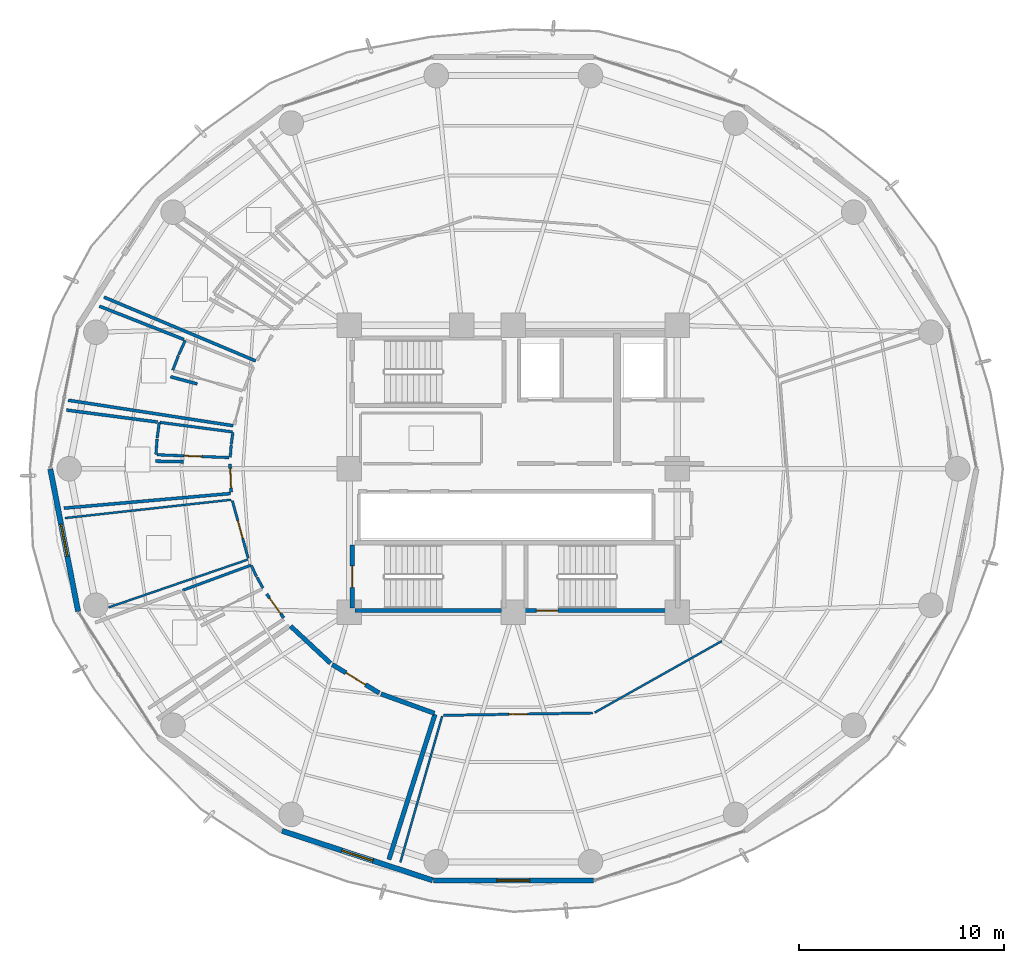
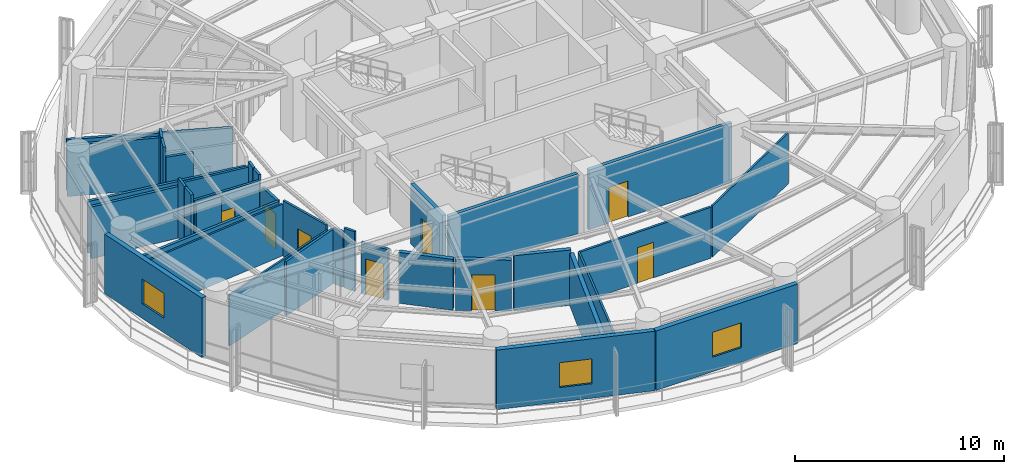
# One storey, part 21 of 27: 36 walls, 8 doors, 3 windows, 11 openings.
"""IFC4 building model written with IfcOpenShell, lengths in metres."""

from ifc_helpers import new_model, si_unit, direction, frame, frame_2d, origin, place, context, subcontext, project, spatial, rectangle, extrude, material, layer, layer_set, type_object, element, fill, save


model = new_model("IFC4")

# Units and contexts
model_context = context("Model", 3, precision=1e-05, world=origin(), true_north=direction((0.0, 1.0)))
body_context = subcontext(model_context, "Body", "Model", "MODEL_VIEW")
ifc_project = project(units=[si_unit("LENGTHUNIT", "METRE"), si_unit("AREAUNIT", "SQUARE_METRE"), si_unit("VOLUMEUNIT", "CUBIC_METRE"), si_unit("PLANEANGLEUNIT", "RADIAN"), si_unit("MASSUNIT", "GRAM", prefix="KILO")], contexts=[model_context])

# Site, building, storey
site_placement = place(None, origin())
site = spatial("IfcSite", under=ifc_project, at=site_placement, CompositionType="ELEMENT")
building_placement = place(site_placement, origin())
building = spatial("IfcBuilding", under=site, at=building_placement, Name="Kelanora Arch Commons", CompositionType="ELEMENT")
storey_placement = place(building_placement, frame((0.0, 0.0, 169.35009765625)))
storey = spatial("IfcBuildingStorey", under=building, at=storey_placement, Name="L43", CompositionType="ELEMENT", Elevation=169.35009765625)

# Wall, opening, door
ifc_material_1 = material(Name="Autoclaved aerated concrete blockwork with fire plaster", Category="masonry")
ifc_layer_1 = layer(ifc_material_1, 0.14990234375)
ifc_layer_set_1 = layer_set([ifc_layer_1], Name="Autoclaved aerated concrete blockwork with fire plaster")
wall_type_1 = type_object("IfcWallType", Name="W-COMP-150", PredefinedType="PARTITIONING", material=ifc_layer_set_1)
wall_1_placement = place(storey_placement, frame((60.176513671875, 58.23291015625, 0.0), z_axis=(0.0, 0.0, 1.0), x_axis=(0.040688656331, -0.999171873726, 0.0)))
wall_1 = element("IfcWall", 1, at=wall_1_placement, inside=storey, type_object=wall_type_1, Name="Cluster Bedroom L43-04 Entry Partition", PredefinedType="PARTITIONING", context=body_context, shape_type="SweptSolid", body=[
    extrude(rectangle(XDim=1.380126953125, YDim=0.14990234375, at=frame_2d((0.68994140625, 0.0))), origin(), (0.0, 0.0, 1.0), 2.974853515625),
])
opening_1_placement = place(wall_1_placement, frame((0.215087890625, 0.0, 0.0)))
opening_1 = element("IfcOpeningElement", 2, at=opening_1_placement, cuts=wall_1, Name="Opening D-CLU1", PredefinedType="OPENING", context=body_context, shape_type="SweptSolid", body=[
    extrude(rectangle(XDim=0.949951171875, YDim=2.080078125, at=frame_2d((0.47509765625, 1.0400390625))), frame((0.0, 0.0849609375, 0.0), z_axis=(0.0, -1.0, 0.0), x_axis=(1.0, 0.0, 0.0)), (0.0, 0.0, 1.0), 0.169921875),
])
ifc_material_2 = material(Name="Solid-core acoustic timber cluster entry fire door", Category="wood")
door_type_1 = type_object("IfcDoorType", Name="D-CLU-95", OperationType="NOTDEFINED", PredefinedType="DOOR", material=ifc_material_2)
door_1_placement = place(opening_1_placement, origin())
door_1 = element("IfcDoor", 3, at=door_1_placement, inside=storey, type_object=door_type_1, Name="Cluster Bedroom L43-04 Door", OperationType="SINGLE_SWING_LEFT", OverallHeight=2.080078125, OverallWidth=0.949951171875, PredefinedType="DOOR", context=body_context, shape_type="SweptSolid", body=[
    extrude(rectangle(XDim=0.949951171875, YDim=2.080078125, at=frame_2d((0.47509765625, 1.0400390625))), frame((0.0, 0.02490234375, 0.0), z_axis=(0.0, -1.0, 0.0), x_axis=(1.0, 0.0, 0.0)), (0.0, 0.0, 1.0), 0.050048828125),
])
fill(opening_1, door_1)

wall_2_placement = place(storey_placement, frame((61.960693359375, 51.89013671875, 0.0), z_axis=(0.0, 0.0, 1.0), x_axis=(0.579962011666, -0.814643520213, 0.0)))
wall_2 = element("IfcWall", 4, at=wall_2_placement, inside=storey, type_object=wall_type_1, Name="Cluster Bedroom L43-06 Entry Partition", PredefinedType="PARTITIONING", context=body_context, shape_type="SweptSolid", body=[
    extrude(rectangle(XDim=1.430419921875, YDim=0.14990234375, at=frame_2d((0.71533203125, 0.0))), origin(), (0.0, 0.0, 1.0), 2.974853515625),
])
opening_2_placement = place(wall_2_placement, frame((0.239990234375, 0.0, 0.0)))
opening_2 = element("IfcOpeningElement", 5, at=opening_2_placement, cuts=wall_2, Name="Opening D-CLU1", PredefinedType="OPENING", context=body_context, shape_type="SweptSolid", body=[
    extrude(rectangle(XDim=0.949951171875, YDim=2.080078125, at=frame_2d((0.47509765625, 1.0400390625))), frame((0.0, 0.0849609375, 0.0), z_axis=(0.0, -1.0, 0.0), x_axis=(1.0, 0.0, 0.0)), (0.0, 0.0, 1.0), 0.169921875),
])
door_2_placement = place(opening_2_placement, origin())
door_2 = element("IfcDoor", 6, at=door_2_placement, inside=storey, type_object=door_type_1, Name="Cluster Bedroom L43-06 Door", OperationType="SINGLE_SWING_RIGHT", OverallHeight=2.080078125, OverallWidth=0.949951171875, PredefinedType="DOOR", context=body_context, shape_type="SweptSolid", body=[
    extrude(rectangle(XDim=0.949951171875, YDim=2.080078125, at=frame_2d((0.47509765625, 1.0400390625))), frame((0.0, 0.02490234375, 0.0), z_axis=(0.0, -1.0, 0.0), x_axis=(1.0, 0.0, 0.0)), (0.0, 0.0, 1.0), 0.050048828125),
])
fill(opening_2, door_2)

# Walls
wall_3_placement = place(storey_placement, frame((61.425048828125, 63.262451171875, 0.0), z_axis=(0.0, 0.0, 1.0), x_axis=(-0.921852058971, 0.387541973688, 0.0)))
element("IfcWall", 7, at=wall_3_placement, inside=storey, type_object=wall_type_1, Name="Cluster Bedroom L43-02 Enclosure Partition 2", PredefinedType="PARTITIONING", context=body_context, shape_type="SweptSolid", body=[
    extrude(rectangle(XDim=8.03271484375, YDim=0.14990234375, at=frame_2d((4.016357421875, 0.0))), origin(), (0.0, 0.0, 1.0), 2.974853515625),
])
wall_4_placement = place(storey_placement, frame((60.32861328125, 60.10009765625, 0.0), z_axis=(0.0, 0.0, 1.0), x_axis=(-0.988280426205, 0.152649268523, 0.0)))
element("IfcWall", 8, at=wall_4_placement, inside=storey, type_object=wall_type_1, Name="Cluster Bedroom L43-03 Enclosure Partition 2", PredefinedType="PARTITIONING", context=body_context, shape_type="SweptSolid", body=[
    extrude(rectangle(XDim=8.148681640625, YDim=0.14990234375, at=frame_2d((4.07421875, 0.0))), origin(), (0.0, 0.0, 1.0), 3.02490234375),
])
wall_5_placement = place(storey_placement, frame((53.79931640625, 65.933349609375, 0.0), z_axis=(0.0, 0.0, 1.0), x_axis=(0.930447107731, -0.366426226839, 0.0)))
element("IfcWall", 9, at=wall_5_placement, inside=storey, type_object=wall_type_1, Name="Cluster Bedroom L43-03 Enclosure Partition 5", PredefinedType="PARTITIONING", context=body_context, shape_type="SweptSolid", body=[
    extrude(rectangle(XDim=4.4306640625, YDim=0.14990234375, at=frame_2d((2.21533203125, 0.0))), origin(), (0.0, 0.0, 1.0), 2.974853515625),
])
wall_6_placement = place(storey_placement, frame((57.2685546875, 62.49169921875, 0.0), z_axis=(0.0, 0.0, 1.0), x_axis=(0.965540944104, -0.260251196461, 0.0)))
element("IfcWall", 10, at=wall_6_placement, inside=storey, type_object=wall_type_1, Name="Cluster Bedroom L43-03 Enclosure Partition 7", PredefinedType="PARTITIONING", context=body_context, shape_type="SweptSolid", body=[
    extrude(rectangle(XDim=1.35546875, YDim=0.14990234375, at=frame_2d((0.677734375, 0.0))), origin(), (0.0, 0.0, 1.0), 3.1748046875),
])
wall_7_placement = place(storey_placement, frame((60.1953125, 56.79052734375, 0.0), z_axis=(0.0, 0.0, 1.0), x_axis=(-0.996155607827, -0.087601398364, 0.0)))
element("IfcWall", 11, at=wall_7_placement, inside=storey, type_object=wall_type_1, Name="Cluster Bedroom L43-04 Enclosure Partition 2", PredefinedType="PARTITIONING", context=body_context, shape_type="SweptSolid", body=[
    extrude(rectangle(XDim=8.1630859375, YDim=0.14990234375, at=frame_2d((4.08154296875, 0.0))), origin(), (0.0, 0.0, 1.0), 3.02490234375),
])
wall_8_placement = place(storey_placement, frame((52.190673828125, 60.86474609375, 0.0), z_axis=(0.0, 0.0, 1.0), x_axis=(0.991434667169, -0.130603601543, 0.0)))
element("IfcWall", 12, at=wall_8_placement, inside=storey, type_object=wall_type_1, Name="Cluster Bedroom L43-04 Enclosure Partition 5", PredefinedType="PARTITIONING", context=body_context, shape_type="SweptSolid", body=[
    extrude(rectangle(XDim=4.490234375, YDim=0.14990234375, at=frame_2d((2.2451171875, 0.0))), origin(), (0.0, 0.0, 1.0), 3.02490234375),
])
wall_9_placement = place(storey_placement, frame((56.5439453125, 58.3701171875, 0.0), z_axis=(0.0, 0.0, 1.0), x_axis=(0.999773811605, -0.021267948399, 0.0)))
element("IfcWall", 13, at=wall_9_placement, inside=storey, type_object=wall_type_1, Name="Cluster Bedroom L43-04 Enclosure Partition 7", PredefinedType="PARTITIONING", context=body_context, shape_type="SweptSolid", body=[
    extrude(rectangle(XDim=1.3544921875, YDim=0.14990234375, at=frame_2d((0.67724609375, 0.0))), origin(), (0.0, 0.0, 1.0), 3.1748046875),
])

# Wall, opening, window
ifc_material_3 = material(Name="Precast concrete C40/50 with terracotta rainscreen", Category="masonry")
ifc_layer_2 = layer(ifc_material_3, 0.260009765625)
ifc_layer_set_2 = layer_set([ifc_layer_2], Name="Precast concrete C40/50 with terracotta rainscreen")
wall_type_2 = type_object("IfcWallType", Name="W-EXT-TC", PredefinedType="SOLIDWALL", material=ifc_layer_set_2)
wall_10_placement = place(storey_placement, frame((51.40283203125, 57.9853515625, 0.0), z_axis=(0.0, 0.0, 1.0), x_axis=(0.191716984769, -0.981450252306, 0.0)))
wall_10 = element("IfcWall", 14, at=wall_10_placement, inside=storey, type_object=wall_type_2, Name="Terracotta Exterior Wall L43-B09", PredefinedType="SOLIDWALL", context=body_context, shape_type="SweptSolid", body=[
    extrude(rectangle(XDim=7.0791015625, YDim=0.260009765625, at=frame_2d((3.53955078125, 0.0))), origin(), (0.0, 0.0, 1.0), 3.474853515625),
])
opening_3_placement = place(wall_10_placement, frame((2.739990234375, 0.0, 0.85009765625)))
opening_3 = element("IfcOpeningElement", 15, at=opening_3_placement, cuts=wall_10, Name="Opening WN-01", PredefinedType="OPENING", context=body_context, shape_type="SweptSolid", body=[
    extrude(rectangle(XDim=1.60009765625, YDim=1.449951171875, at=frame_2d((0.800048828125, 0.72509765625))), frame((0.0, 0.14013671875, 0.0), z_axis=(0.0, -1.0, 0.0), x_axis=(1.0, 0.0, 0.0)), (0.0, 0.0, 1.0), 0.280029296875),
])
ifc_material_4 = material(Name="Terracotta-anodised aluminium frame with operable low-E glazing", Category="masonry")
window_type = type_object("IfcWindowType", Name="WIN-CL-18", PartitioningType="DOUBLE_PANEL_VERTICAL", PredefinedType="WINDOW", material=ifc_material_4)
window_1_placement = place(opening_3_placement, origin())
window_1 = element("IfcWindow", 16, at=window_1_placement, inside=storey, type_object=window_type, Name="Co-Living Operable Window L43-B09", OverallHeight=1.449951171875, OverallWidth=1.60009765625, PartitioningType="SINGLE_PANEL", PredefinedType="WINDOW", context=body_context, shape_type="SweptSolid", body=[
    extrude(rectangle(XDim=1.60009765625, YDim=1.449951171875, at=frame_2d((0.800048828125, 0.72509765625))), frame((0.0, 0.030029296875, 0.0), z_axis=(0.0, -1.0, 0.0), x_axis=(1.0, 0.0, 0.0)), (0.0, 0.0, 1.0), 0.06005859375),
])
fill(opening_3, window_1)

wall_11_placement = place(storey_placement, frame((62.71435546875, 40.328369140625, 0.0), z_axis=(0.0, 0.0, 1.0), x_axis=(0.950038302428, -0.312133343173, 0.0)))
wall_11 = element("IfcWall", 17, at=wall_11_placement, inside=storey, type_object=wall_type_2, Name="Terracotta Exterior Wall L43-B12", PredefinedType="SOLIDWALL", context=body_context, shape_type="SweptSolid", body=[
    extrude(rectangle(XDim=7.7333984375, YDim=0.260009765625, at=frame_2d((3.86669921875, 0.0))), origin(), (0.0, 0.0, 1.0), 3.474853515625),
])
opening_4_placement = place(wall_11_placement, frame((3.06689453125, 0.0, 0.85009765625)))
opening_4 = element("IfcOpeningElement", 18, at=opening_4_placement, cuts=wall_11, Name="Opening WN-01", PredefinedType="OPENING", context=body_context, shape_type="SweptSolid", body=[
    extrude(rectangle(XDim=1.60009765625, YDim=1.449951171875, at=frame_2d((0.800048828125, 0.72509765625))), frame((0.0, 0.14013671875, 0.0), z_axis=(0.0, -1.0, 0.0), x_axis=(1.0, 0.0, 0.0)), (0.0, 0.0, 1.0), 0.280029296875),
])
window_2_placement = place(opening_4_placement, origin())
window_2 = element("IfcWindow", 19, at=window_2_placement, inside=storey, type_object=window_type, Name="Co-Living Operable Window L43-B12", OverallHeight=1.449951171875, OverallWidth=1.60009765625, PartitioningType="SINGLE_PANEL", PredefinedType="WINDOW", context=body_context, shape_type="SweptSolid", body=[
    extrude(rectangle(XDim=1.60009765625, YDim=1.449951171875, at=frame_2d((0.800048828125, 0.72509765625))), frame((0.0, 0.030029296875, 0.0), z_axis=(0.0, -1.0, 0.0), x_axis=(1.0, 0.0, 0.0)), (0.0, 0.0, 1.0), 0.06005859375),
])
fill(opening_4, window_2)

wall_12_placement = place(storey_placement, frame((70.090576171875, 37.909912109375, 0.0), z_axis=(0.0, 0.0, 1.0), x_axis=(1.0, 0.0, 0.0)))
wall_12 = element("IfcWall", 20, at=wall_12_placement, inside=storey, type_object=wall_type_2, Name="Terracotta Exterior Wall L43-B13", PredefinedType="SOLIDWALL", context=body_context, shape_type="SweptSolid", body=[
    extrude(rectangle(XDim=7.81884765625, YDim=0.260009765625, at=frame_2d((3.909423828125, 0.0))), origin(), (0.0, 0.0, 1.0), 3.474853515625),
])
opening_5_placement = place(wall_12_placement, frame((3.10888671875, 0.0, 0.85009765625)))
opening_5 = element("IfcOpeningElement", 21, at=opening_5_placement, cuts=wall_12, Name="Opening WN-01", PredefinedType="OPENING", context=body_context, shape_type="SweptSolid", body=[
    extrude(rectangle(XDim=1.60009765625, YDim=1.449951171875, at=frame_2d((0.800048828125, 0.72509765625))), frame((0.0, 0.14013671875, 0.0), z_axis=(0.0, -1.0, 0.0), x_axis=(1.0, 0.0, 0.0)), (0.0, 0.0, 1.0), 0.280029296875),
])
window_3_placement = place(opening_5_placement, origin())
window_3 = element("IfcWindow", 22, at=window_3_placement, inside=storey, type_object=window_type, Name="Co-Living Operable Window L43-B13", OverallHeight=1.449951171875, OverallWidth=1.60009765625, PartitioningType="SINGLE_PANEL", PredefinedType="WINDOW", context=body_context, shape_type="SweptSolid", body=[
    extrude(rectangle(XDim=1.60009765625, YDim=1.449951171875, at=frame_2d((0.800048828125, 0.72509765625))), frame((0.0, 0.030029296875, 0.0), z_axis=(0.0, -1.0, 0.0), x_axis=(1.0, 0.0, 0.0)), (0.0, 0.0, 1.0), 0.06005859375),
])
fill(opening_5, window_3)

# Walls
ifc_material_5 = material(Name="Lightweight fire-rated acoustic stud partition")
ifc_layer_3 = layer(ifc_material_5, 0.10009765625)
ifc_layer_set_3 = layer_set([ifc_layer_3], Name="Lightweight fire-rated acoustic stud partition")
wall_type_3 = type_object("IfcWallType", Name="W-PART-100", PredefinedType="PARTITIONING", material=ifc_layer_set_3)
wall_13_placement = place(storey_placement, frame((77.968994140625, 46.1025390625, 0.0), z_axis=(0.0, 0.0, 1.0), x_axis=(0.871597530344, 0.490222138523, 0.0)))
element("IfcWall", 23, at=wall_13_placement, inside=storey, type_object=wall_type_3, Name="South-East Shared Study Commons L43 Enclosure Partition 2", PredefinedType="PARTITIONING", context=body_context, shape_type="SweptSolid", body=[
    extrude(rectangle(XDim=7.11474609375, YDim=0.10009765625, at=frame_2d((3.557373046875, 0.0))), origin(), (0.0, 0.0, 1.0), 2.974853515625),
])
wall_14_placement = place(storey_placement, frame((68.48291015625, 38.79150390625, 0.0), z_axis=(0.0, 0.0, 1.0), x_axis=(0.275233695356, 0.961377352001, 0.0)))
element("IfcWall", 24, at=wall_14_placement, inside=storey, type_object=wall_type_3, Name="South-East Shared Study Commons L43 Enclosure Partition 10", PredefinedType="PARTITIONING", context=body_context, shape_type="SweptSolid", body=[
    extrude(rectangle(XDim=7.422607421875, YDim=0.10009765625, at=frame_2d((3.71142578125, 0.0))), origin(), (0.0, 0.0, 1.0), 3.02490234375),
])
wall_15_placement = place(storey_placement, frame((61.0361328125, 53.56591796875, 0.0), z_axis=(0.0, 0.0, 1.0), x_axis=(-0.945736878945, -0.324933463656, 0.0)))
element("IfcWall", 25, at=wall_15_placement, inside=storey, type_object=wall_type_3, Name="Shared Cluster Kitchen L43-05 Enclosure Partition 2", PredefinedType="PARTITIONING", context=body_context, shape_type="SweptSolid", body=[
    extrude(rectangle(XDim=7.18212890625, YDim=0.10009765625, at=frame_2d((3.591064453125, 0.0))), origin(), (0.0, 0.0, 1.0), 2.974853515625),
])
wall_16_placement = place(storey_placement, frame((52.122802734375, 55.593505859375, 0.0), z_axis=(0.0, 0.0, 1.0), x_axis=(0.993977526639, 0.109584107134, 0.0)))
element("IfcWall", 26, at=wall_16_placement, inside=storey, type_object=wall_type_3, Name="Shared Cluster Kitchen L43-05 Enclosure Partition 4", PredefinedType="PARTITIONING", context=body_context, shape_type="SweptSolid", body=[
    extrude(rectangle(XDim=8.158447265625, YDim=0.10009765625, at=frame_2d((4.0791015625, 0.0))), origin(), (0.0, 0.0, 1.0), 3.02490234375),
])

# Wall, opening, door
ifc_material_6 = material(Name="Acoustic twin-stud fire-rated gypsum partition")
ifc_layer_4 = layer(ifc_material_6, 0.1201171875)
ifc_layer_set_4 = layer_set([ifc_layer_4], Name="Acoustic twin-stud fire-rated gypsum partition")
wall_type_4 = type_object("IfcWallType", Name="W-PART-120", PredefinedType="PARTITIONING", material=ifc_layer_set_4)
wall_17_placement = place(storey_placement, frame((70.596923828125, 45.966796875, 0.0), z_axis=(0.0, 0.0, 1.0), x_axis=(0.999874646692, 0.0158332215, 0.0)))
wall_17 = element("IfcWall", 27, at=wall_17_placement, inside=storey, type_object=wall_type_4, Name="South-East Shared Study Commons L43 Entry Partition", PredefinedType="PARTITIONING", context=body_context, shape_type="SweptSolid", body=[
    extrude(rectangle(XDim=7.278076171875, YDim=0.1201171875, at=frame_2d((3.63916015625, 0.0))), origin(), (0.0, 0.0, 1.0), 2.974853515625),
])
opening_6_placement = place(wall_17_placement, frame((3.18896484375, 0.0, 0.0)))
opening_6 = element("IfcOpeningElement", 28, at=opening_6_placement, cuts=wall_17, Name="Opening D-RM1", PredefinedType="OPENING", context=body_context, shape_type="SweptSolid", body=[
    extrude(rectangle(XDim=0.89990234375, YDim=2.080078125, at=frame_2d((0.449951171875, 1.0400390625))), frame((0.0, 0.070068359375, 0.0), z_axis=(0.0, -1.0, 0.0), x_axis=(1.0, 0.0, 0.0)), (0.0, 0.0, 1.0), 0.14013671875),
])
ifc_material_7 = material(Name="Acoustic fire-rated timber study and lounge door", Category="wood")
door_type_2 = type_object("IfcDoorType", Name="D-ROOM-90", OperationType="NOTDEFINED", PredefinedType="DOOR", material=ifc_material_7)
door_3_placement = place(opening_6_placement, origin())
door_3 = element("IfcDoor", 29, at=door_3_placement, inside=storey, type_object=door_type_2, Name="South-East Shared Study Commons L43 Door", OperationType="SINGLE_SWING_RIGHT", OverallHeight=2.080078125, OverallWidth=0.89990234375, PredefinedType="DOOR", context=body_context, shape_type="SweptSolid", body=[
    extrude(rectangle(XDim=0.89990234375, YDim=2.080078125, at=frame_2d((0.449951171875, 1.0400390625))), frame((0.0, 0.02490234375, 0.0), z_axis=(0.0, -1.0, 0.0), x_axis=(1.0, 0.0, 0.0)), (0.0, 0.0, 1.0), 0.050048828125),
])
fill(opening_6, door_3)

wall_18_placement = place(storey_placement, frame((60.287841796875, 56.43408203125, 0.0), z_axis=(0.0, 0.0, 1.0), x_axis=(0.265473290907, -0.964118214647, 0.0)))
wall_18 = element("IfcWall", 30, at=wall_18_placement, inside=storey, type_object=wall_type_4, Name="Shared Cluster Kitchen L43-05 Entry Partition", PredefinedType="PARTITIONING", context=body_context, shape_type="SweptSolid", body=[
    extrude(rectangle(XDim=2.9013671875, YDim=0.1201171875, at=frame_2d((1.45068359375, 0.0))), origin(), (0.0, 0.0, 1.0), 3.23486328125),
])
opening_7_placement = place(wall_18_placement, frame((1.0009765625, 0.0, 0.0)))
opening_7 = element("IfcOpeningElement", 31, at=opening_7_placement, cuts=wall_18, Name="Opening D-RM1", PredefinedType="OPENING", context=body_context, shape_type="SweptSolid", body=[
    extrude(rectangle(XDim=0.89990234375, YDim=2.080078125, at=frame_2d((0.449951171875, 1.0400390625))), frame((0.0, 0.070068359375, 0.0), z_axis=(0.0, -1.0, 0.0), x_axis=(1.0, 0.0, 0.0)), (0.0, 0.0, 1.0), 0.14013671875),
])
door_4_placement = place(opening_7_placement, origin())
door_4 = element("IfcDoor", 32, at=door_4_placement, inside=storey, type_object=door_type_2, Name="Shared Cluster Kitchen L43-05 Door", OperationType="SINGLE_SWING_RIGHT", OverallHeight=2.080078125, OverallWidth=0.89990234375, PredefinedType="DOOR", context=body_context, shape_type="SweptSolid", body=[
    extrude(rectangle(XDim=0.89990234375, YDim=2.080078125, at=frame_2d((0.449951171875, 1.0400390625))), frame((0.0, 0.02490234375, 0.0), z_axis=(0.0, -1.0, 0.0), x_axis=(1.0, 0.0, 0.0)), (0.0, 0.0, 1.0), 0.050048828125),
])
fill(opening_7, door_4)

ifc_material_8 = material(Name="Concrete C40/50", Category="concrete")
ifc_layer_5 = layer(ifc_material_8, 0.219970703125)
ifc_layer_set_5 = layer_set([ifc_layer_5], Name="Concrete C40/50")
wall_type_5 = type_object("IfcWallType", Name="W-REF-200", PredefinedType="SOLIDWALL", material=ifc_layer_set_5)
wall_19_placement = place(storey_placement, frame((65.161376953125, 48.447021484375, 0.0), z_axis=(0.0, 0.0, 1.0), x_axis=(0.855147717505, -0.518384395257, 0.0)))
wall_19 = element("IfcWall", 33, at=wall_19_placement, inside=storey, type_object=wall_type_5, Name="Two-Hour Fire Refuge Holding Room L43 Entry Partition", PredefinedType="SOLIDWALL", context=body_context, shape_type="SweptSolid", body=[
    extrude(rectangle(XDim=2.68310546875, YDim=0.219970703125, at=frame_2d((1.341552734375, 0.0))), origin(), (0.0, 0.0, 1.0), 2.974853515625),
])
opening_8_placement = place(wall_19_placement, frame((0.781982421875, 0.0, 0.0)))
opening_8 = element("IfcOpeningElement", 34, at=opening_8_placement, cuts=wall_19, Name="Opening D-REF1", PredefinedType="OPENING", context=body_context, shape_type="SweptSolid", body=[
    extrude(rectangle(XDim=1.1201171875, YDim=2.10009765625, at=frame_2d((0.56005859375, 1.050048828125))), frame((0.0, 0.1201171875, 0.0), z_axis=(0.0, -1.0, 0.0), x_axis=(1.0, 0.0, 0.0)), (0.0, 0.0, 1.0), 0.239990234375),
])
ifc_material_9 = material(Name="Two-hour fire refuge holding room door")
door_type_3 = type_object("IfcDoorType", Name="D-REF-110", OperationType="NOTDEFINED", PredefinedType="DOOR", material=ifc_material_9)
door_5_placement = place(opening_8_placement, origin())
door_5 = element("IfcDoor", 35, at=door_5_placement, inside=storey, type_object=door_type_3, Name="Two-Hour Fire Refuge Holding Room L43 Door", OperationType="SINGLE_SWING_LEFT", OverallHeight=2.10009765625, OverallWidth=1.1201171875, PredefinedType="DOOR", context=body_context, shape_type="SweptSolid", body=[
    extrude(rectangle(XDim=1.1201171875, YDim=2.10009765625, at=frame_2d((0.56005859375, 1.050048828125))), frame((0.0, 0.02490234375, 0.0), z_axis=(0.0, -1.0, 0.0), x_axis=(1.0, 0.0, 0.0)), (0.0, 0.0, 1.0), 0.050048828125),
])
fill(opening_8, door_5)

# Walls
wall_20_placement = place(storey_placement, frame((63.13134765625, 50.319580078125, 0.0), z_axis=(0.0, 0.0, 1.0), x_axis=(0.73204531194, -0.681255944023, 0.0)))
element("IfcWall", 36, at=wall_20_placement, inside=storey, type_object=wall_type_5, Name="Two-Hour Fire Refuge Holding Room L43 Enclosure Partition 1", PredefinedType="SOLIDWALL", context=body_context, shape_type="SweptSolid", body=[
    extrude(rectangle(XDim=2.6630859375, YDim=0.219970703125, at=frame_2d((1.33154296875, 0.0))), origin(), (0.0, 0.0, 1.0), 2.974853515625),
])
wall_21_placement = place(storey_placement, frame((67.544677734375, 47.011474609375, 0.0), z_axis=(0.0, 0.0, 1.0), x_axis=(0.939993834649, -0.341191428411, 0.0)))
element("IfcWall", 37, at=wall_21_placement, inside=storey, type_object=wall_type_5, Name="Two-Hour Fire Refuge Holding Room L43 Enclosure Partition 3", PredefinedType="SOLIDWALL", context=body_context, shape_type="SweptSolid", body=[
    extrude(rectangle(XDim=2.77197265625, YDim=0.219970703125, at=frame_2d((1.385986328125, 0.0))), origin(), (0.0, 0.0, 1.0), 3.23486328125),
])
wall_22_placement = place(storey_placement, frame((70.17578125, 46.013916015625, 0.0), z_axis=(0.0, 0.0, 1.0), x_axis=(-0.302609911635, -0.95311449542, 0.0)))
element("IfcWall", 38, at=wall_22_placement, inside=storey, type_object=wall_type_5, Name="Two-Hour Fire Refuge Holding Room L43 Enclosure Partition 4", PredefinedType="SOLIDWALL", context=body_context, shape_type="SweptSolid", body=[
    extrude(rectangle(XDim=7.4345703125, YDim=0.219970703125, at=frame_2d((3.71728515625, 0.0))), origin(), (0.0, 0.0, 1.0), 3.02490234375),
])

# Wall, opening, door
ifc_layer_6 = layer(ifc_material_8, 0.199951171875)
ifc_layer_set_6 = layer_set([ifc_layer_6], Name="Concrete C40/50")
wall_type_6 = type_object("IfcWallType", Name="W-STAIR-200", PredefinedType="SHEAR", material=ifc_layer_set_6)
wall_23_placement = place(storey_placement, frame((74.0, 51.080078125, 0.0), z_axis=(0.0, 0.0, 1.0), x_axis=(1.0, 0.0, 0.0)))
wall_23 = element("IfcWall", 39, at=wall_23_placement, inside=storey, type_object=wall_type_6, Name="Stair ST-T2 Shaft Wall S L43", PredefinedType="SHEAR", context=body_context, shape_type="SweptSolid", body=[
    extrude(rectangle(XDim=7.89990234375, YDim=0.199951171875, at=frame_2d((3.949951171875, 0.0))), origin(), (0.0, 0.0, 1.0), 3.489990234375),
])
opening_9_placement = place(wall_23_placement, frame((1.1201171875, 0.0, 0.0)))
opening_9 = element("IfcOpeningElement", 40, at=opening_9_placement, cuts=wall_23, Name="Opening D-ST1", PredefinedType="OPENING", context=body_context, shape_type="SweptSolid", body=[
    extrude(rectangle(XDim=1.050048828125, YDim=2.10009765625, at=frame_2d((0.52490234375, 1.050048828125))), frame((0.0, 0.10986328125, 0.0), z_axis=(0.0, -1.0, 0.0), x_axis=(1.0, 0.0, 0.0)), (0.0, 0.0, 1.0), 0.219970703125),
])
ifc_material_10 = material(Name="Steel fire-rated stairwell escape door", Category="steel")
door_type_4 = type_object("IfcDoorType", Name="D-STAIR-110", OperationType="NOTDEFINED", PredefinedType="DOOR", material=ifc_material_10)
door_6_placement = place(opening_9_placement, origin())
door_6 = element("IfcDoor", 41, at=door_6_placement, inside=storey, type_object=door_type_4, Name="Stair ST-T2 Escape Door L43", OperationType="SINGLE_SWING_LEFT", OverallHeight=2.10009765625, OverallWidth=1.050048828125, PredefinedType="DOOR", context=body_context, shape_type="SweptSolid", body=[
    extrude(rectangle(XDim=1.050048828125, YDim=2.10009765625, at=frame_2d((0.52490234375, 1.050048828125))), frame((0.0, 0.02490234375, 0.0), z_axis=(0.0, -1.0, 0.0), x_axis=(1.0, 0.0, 0.0)), (0.0, 0.0, 1.0), 0.050048828125),
])
fill(opening_9, door_6)

# Wall
wall_24_placement = place(storey_placement, frame((66.260009765625, 51.080078125, 0.0), z_axis=(0.0, 0.0, 1.0), x_axis=(1.0, 0.0, 0.0)))
element("IfcWall", 42, at=wall_24_placement, inside=storey, type_object=wall_type_6, Name="Stair ST-T3 Shaft Wall S L43", PredefinedType="SHEAR", context=body_context, shape_type="SweptSolid", body=[
    extrude(rectangle(XDim=7.159912109375, YDim=0.199951171875, at=frame_2d((3.580078125, 0.0))), origin(), (0.0, 0.0, 1.0), 3.489990234375),
])

# Wall, opening, door
wall_25_placement = place(storey_placement, frame((66.139892578125, 54.27001953125, 0.0), z_axis=(0.0, 0.0, 1.0), x_axis=(0.0, -1.0, 0.0)))
wall_25 = element("IfcWall", 43, at=wall_25_placement, inside=storey, type_object=wall_type_6, Name="Stair ST-T3 Shaft Wall W L43", PredefinedType="SHEAR", context=body_context, shape_type="SweptSolid", body=[
    extrude(rectangle(XDim=3.070068359375, YDim=0.199951171875, at=frame_2d((1.53515625, 0.0))), origin(), (0.0, 0.0, 1.0), 3.489990234375),
])
opening_10_placement = place(wall_25_placement, frame((1.010009765625, 0.0, 0.0)))
opening_10 = element("IfcOpeningElement", 44, at=opening_10_placement, cuts=wall_25, Name="Opening D-ST1", PredefinedType="OPENING", context=body_context, shape_type="SweptSolid", body=[
    extrude(rectangle(XDim=1.050048828125, YDim=2.10009765625, at=frame_2d((0.52490234375, 1.050048828125))), frame((0.0, 0.10986328125, 0.0), z_axis=(0.0, -1.0, 0.0), x_axis=(1.0, 0.0, 0.0)), (0.0, 0.0, 1.0), 0.219970703125),
])
door_7_placement = place(opening_10_placement, origin())
door_7 = element("IfcDoor", 45, at=door_7_placement, inside=storey, type_object=door_type_4, Name="Stair ST-T3 Escape Door L43", OperationType="SINGLE_SWING_LEFT", OverallHeight=2.10009765625, OverallWidth=1.050048828125, PredefinedType="DOOR", context=body_context, shape_type="SweptSolid", body=[
    extrude(rectangle(XDim=1.050048828125, YDim=2.10009765625, at=frame_2d((0.52490234375, 1.050048828125))), frame((0.0, 0.02490234375, 0.0), z_axis=(0.0, -1.0, 0.0), x_axis=(1.0, 0.0, 0.0)), (0.0, 0.0, 1.0), 0.050048828125),
])
fill(opening_10, door_7)

ifc_material_11 = material(Name="Moisture-resistant fire-rated cement-board plumbing wall")
ifc_layer_7 = layer(ifc_material_11, 0.1298828125)
ifc_layer_set_7 = layer_set([ifc_layer_7], Name="Moisture-resistant fire-rated cement-board plumbing wall")
wall_type_7 = type_object("IfcWallType", Name="W-WET-120", PredefinedType="PLUMBINGWALL", material=ifc_layer_set_7)
wall_26_placement = place(storey_placement, frame((60.123046875, 58.54443359375, 0.0), z_axis=(0.0, 0.0, 1.0), x_axis=(-0.999224670523, 0.039370773652, 0.0)))
wall_26 = element("IfcWall", 46, at=wall_26_placement, inside=storey, type_object=wall_type_7, Name="En-Suite Shower WC L43-04 Entry Partition", PredefinedType="PLUMBINGWALL", context=body_context, shape_type="SweptSolid", body=[
    extrude(rectangle(XDim=3.509765625, YDim=0.1298828125, at=frame_2d((1.7548828125, 0.0))), origin(), (0.0, 0.0, 1.0), 3.1748046875),
])
opening_11_placement = place(wall_26_placement, frame((1.324951171875, 0.0, 0.0)))
opening_11 = element("IfcOpeningElement", 47, at=opening_11_placement, cuts=wall_26, Name="Opening D-BT1", PredefinedType="OPENING", context=body_context, shape_type="SweptSolid", body=[
    extrude(rectangle(XDim=0.860107421875, YDim=2.050048828125, at=frame_2d((0.43017578125, 1.02490234375))), frame((0.0, 0.074951171875, 0.0), z_axis=(0.0, -1.0, 0.0), x_axis=(1.0, 0.0, 0.0)), (0.0, 0.0, 1.0), 0.14990234375),
])
ifc_material_12 = material(Name="Moisture-sealed fire-rated accessible bathroom door")
door_type_5 = type_object("IfcDoorType", Name="D-BATH-85", OperationType="NOTDEFINED", PredefinedType="DOOR", material=ifc_material_12)
door_8_placement = place(opening_11_placement, origin())
door_8 = element("IfcDoor", 48, at=door_8_placement, inside=storey, type_object=door_type_5, Name="En-Suite Shower WC L43-04 Door", OperationType="SINGLE_SWING_RIGHT", OverallHeight=2.050048828125, OverallWidth=0.860107421875, PredefinedType="DOOR", context=body_context, shape_type="SweptSolid", body=[
    extrude(rectangle(XDim=0.860107421875, YDim=2.050048828125, at=frame_2d((0.43017578125, 1.02490234375))), frame((0.0, 0.02490234375, 0.0), z_axis=(0.0, -1.0, 0.0), x_axis=(1.0, 0.0, 0.0)), (0.0, 0.0, 1.0), 0.050048828125),
])
fill(opening_11, door_8)

# Walls
wall_27_placement = place(storey_placement, frame((57.379150390625, 62.810546875, 0.0), z_axis=(0.0, 0.0, 1.0), x_axis=(0.361307204634, 0.932446837026, 0.0)))
element("IfcWall", 49, at=wall_27_placement, inside=storey, type_object=wall_type_7, Name="En-Suite Shower WC L43-03 Enclosure Partition 4", PredefinedType="PLUMBINGWALL", context=body_context, shape_type="SweptSolid", body=[
    extrude(rectangle(XDim=0.765625, YDim=0.1298828125, at=frame_2d((0.3828125, 0.0))), origin(), (0.0, 0.0, 1.0), 3.47998046875),
])
wall_28_placement = place(storey_placement, frame((57.671142578125, 63.561279296875, 0.0), z_axis=(0.0, 0.0, 1.0), x_axis=(0.411356558761, 0.911474509553, 0.0)))
element("IfcWall", 50, at=wall_28_placement, inside=storey, type_object=wall_type_7, Name="En-Suite Shower WC L43-03 Enclosure Partition 5", PredefinedType="PLUMBINGWALL", context=body_context, shape_type="SweptSolid", body=[
    extrude(rectangle(XDim=0.767333984375, YDim=0.1298828125, at=frame_2d((0.3837890625, 0.0))), origin(), (0.0, 0.0, 1.0), 3.47998046875),
])
for number, where, z_axis, x_axis, name in (
    (51, (60.312255859375, 59.774169921875, 0.0), (0.0, 0.0, 1.0), (-0.133302538152, -0.99107539235, 0.0), "En-Suite Shower WC L43-04 Enclosure Partition 1"),
    (52, (60.2294921875, 59.150146484375, 0.0), (0.0, 0.0, 1.0), (-0.076158411979, -0.997095730752, 0.0), "En-Suite Shower WC L43-04 Enclosure Partition 2"),
):
    element("IfcWall", number, at=place(storey_placement, frame(where, z_axis=z_axis, x_axis=x_axis)), inside=storey, type_object=wall_type_7, Name=name, PredefinedType="PLUMBINGWALL", context=body_context, shape_type="SweptSolid", body=[
        extrude(rectangle(XDim=0.58984375, YDim=0.1298828125, at=frame_2d((0.294921875, 0.0))), origin(), (0.0, 0.0, 1.0), 3.47998046875),
    ])
wall_29_placement = place(storey_placement, frame((56.5576171875, 58.704833984375, 0.0), z_axis=(0.0, 0.0, 1.0), x_axis=(0.075312246351, 0.997159999975, 0.0)))
element("IfcWall", 53, at=wall_29_placement, inside=storey, type_object=wall_type_7, Name="En-Suite Shower WC L43-04 Enclosure Partition 4", PredefinedType="PLUMBINGWALL", context=body_context, shape_type="SweptSolid", body=[
    extrude(rectangle(XDim=0.75537109375, YDim=0.1298828125, at=frame_2d((0.377685546875, 0.0))), origin(), (0.0, 0.0, 1.0), 3.47998046875),
])
wall_30_placement = place(storey_placement, frame((56.61865234375, 59.497802734375, 0.0), z_axis=(0.0, 0.0, 1.0), x_axis=(0.133009537515, 0.9911147577, 0.0)))
element("IfcWall", 54, at=wall_30_placement, inside=storey, type_object=wall_type_7, Name="En-Suite Shower WC L43-04 Enclosure Partition 5", PredefinedType="PLUMBINGWALL", context=body_context, shape_type="SweptSolid", body=[
    extrude(rectangle(XDim=0.75634765625, YDim=0.1298828125, at=frame_2d((0.378173828125, 0.0))), origin(), (0.0, 0.0, 1.0), 3.47998046875),
])
wall_31_placement = place(storey_placement, frame((56.74169921875, 60.264404296875, 0.0), z_axis=(0.0, 0.0, 1.0), x_axis=(0.991446642818, -0.130512660092, 0.0)))
element("IfcWall", 55, at=wall_31_placement, inside=storey, type_object=wall_type_7, Name="En-Suite Shower WC L43-04 Enclosure Partition 6", PredefinedType="PLUMBINGWALL", context=body_context, shape_type="SweptSolid", body=[
    extrude(rectangle(XDim=3.584228515625, YDim=0.1298828125, at=frame_2d((1.7919921875, 0.0))), origin(), (0.0, 0.0, 1.0), 3.1748046875),
])
wall_32_placement = place(storey_placement, frame((61.206787109375, 53.279052734375, 0.0), z_axis=(0.0, 0.0, 1.0), x_axis=(0.438415626727, -0.898772350621, 0.0)))
element("IfcWall", 56, at=wall_32_placement, inside=storey, type_object=wall_type_7, Name="En-Suite Shower WC L43-06 Enclosure Partition 1", PredefinedType="PLUMBINGWALL", context=body_context, shape_type="SweptSolid", body=[
    extrude(rectangle(XDim=0.600830078125, YDim=0.1298828125, at=frame_2d((0.30029296875, 0.0))), origin(), (0.0, 0.0, 1.0), 3.23486328125),
])
wall_33_placement = place(storey_placement, frame((61.48876953125, 52.70361328125, 0.0), z_axis=(0.0, 0.0, 1.0), x_axis=(0.486979465227, -0.873413418976, 0.0)))
element("IfcWall", 57, at=wall_33_placement, inside=storey, type_object=wall_type_7, Name="En-Suite Shower WC L43-06 Enclosure Partition 2", PredefinedType="PLUMBINGWALL", context=body_context, shape_type="SweptSolid", body=[
    extrude(rectangle(XDim=0.6044921875, YDim=0.1298828125, at=frame_2d((0.30224609375, 0.0))), origin(), (0.0, 0.0, 1.0), 3.47998046875),
])
wall_34_placement = place(storey_placement, frame((57.855712890625, 52.06494140625, 0.0), z_axis=(0.0, 0.0, 1.0), x_axis=(0.938283087043, 0.345868253198, 0.0)))
element("IfcWall", 58, at=wall_34_placement, inside=storey, type_object=wall_type_7, Name="En-Suite Shower WC L43-06 Enclosure Partition 6", PredefinedType="PLUMBINGWALL", context=body_context, shape_type="SweptSolid", body=[
    extrude(rectangle(XDim=3.5419921875, YDim=0.1298828125, at=frame_2d((1.77099609375, 0.0))), origin(), (0.0, 0.0, 1.0), 3.1748046875),
])

save(model, "model.ifc")
